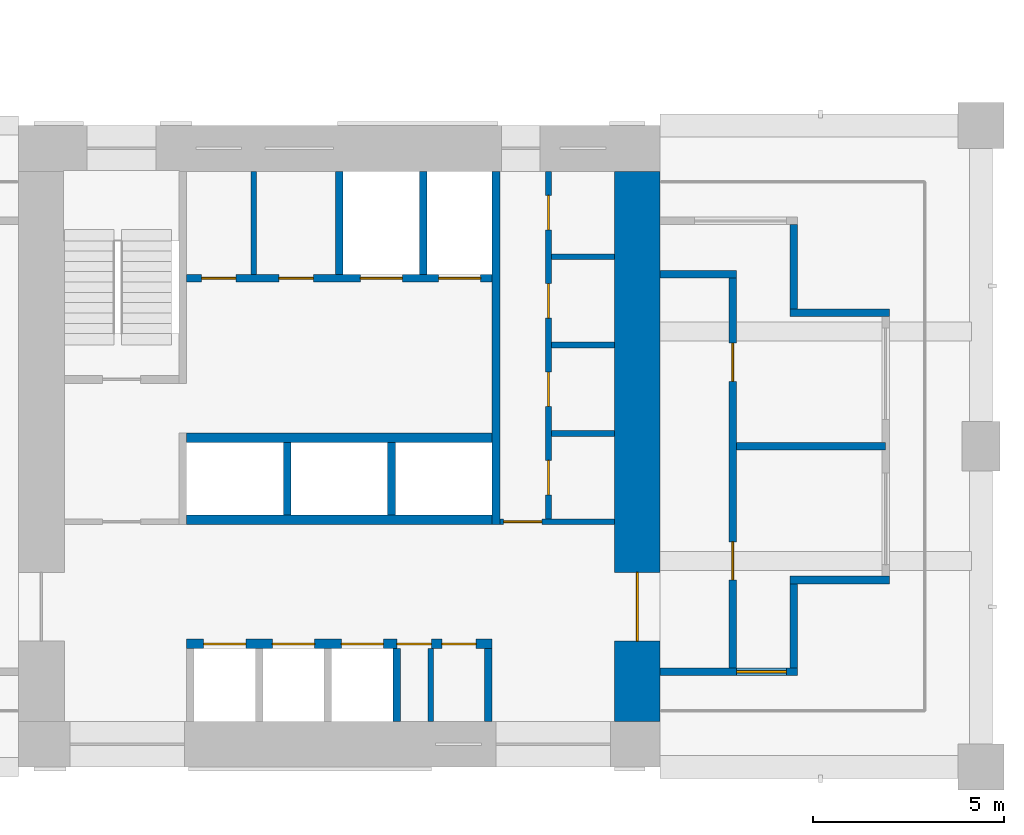
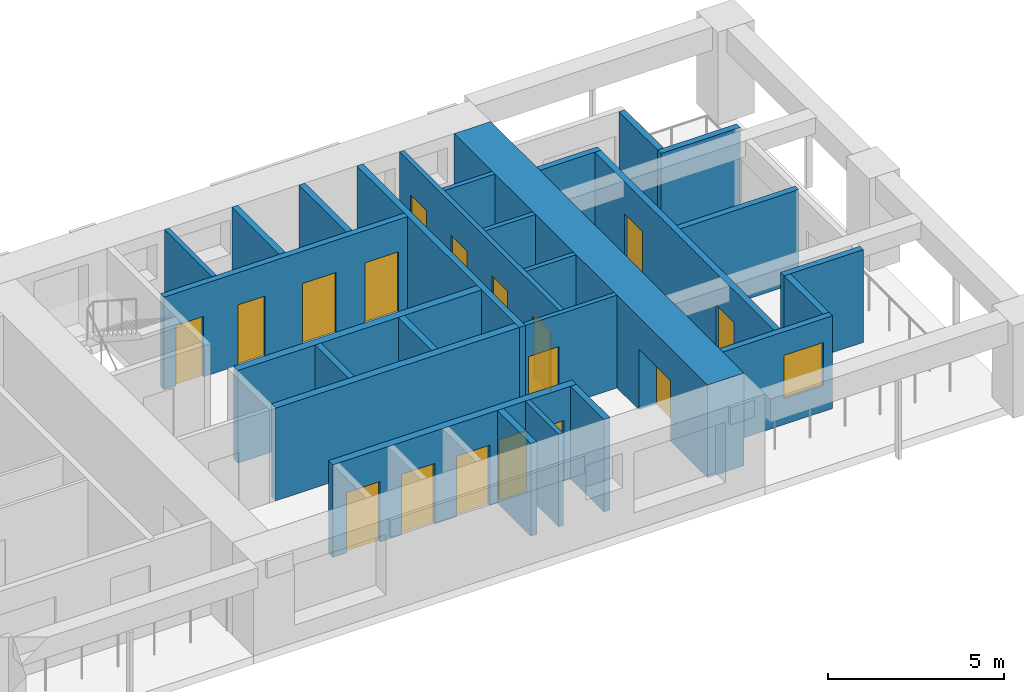
# One storey, part 6 of 17: 27 walls, 17 doors, 1 window, 18 openings.
"""IFC4 building model written with IfcOpenShell, lengths in metres."""

from ifc_helpers import new_model, si_unit, direction, frame, frame_2d, origin, place, context, subcontext, project, spatial, rectangle, extrude, material, layer, layer_set, type_object, element, fill, save


model = new_model("IFC4")

# Units and contexts
model_context = context("Model", 3, precision=1e-05, world=origin(), true_north=direction((0.0, 1.0)))
body_context = subcontext(model_context, "Body", "Model", "MODEL_VIEW")
ifc_project = project(units=[si_unit("LENGTHUNIT", "METRE"), si_unit("AREAUNIT", "SQUARE_METRE"), si_unit("VOLUMEUNIT", "CUBIC_METRE"), si_unit("PLANEANGLEUNIT", "RADIAN"), si_unit("MASSUNIT", "GRAM", prefix="KILO")], contexts=[model_context])

# Site, building, storey
site_placement = place(None, origin())
site = spatial("IfcSite", under=ifc_project, at=site_placement, CompositionType="ELEMENT")
building_placement = place(site_placement, origin())
building = spatial("IfcBuilding", under=site, at=building_placement, Name="Vermilion Gate Residences", CompositionType="ELEMENT")
storey_placement = place(building_placement, frame((0.0, 0.0, 95.199951171875)))
storey = spatial("IfcBuildingStorey", under=building, at=storey_placement, Name="L23", CompositionType="ELEMENT", Elevation=95.199951171875)

# Walls
ifc_material_1 = material(Name="Masonry blockwork", Category="masonry")
ifc_layer_1 = layer(ifc_material_1, 0.14990234375)
ifc_layer_set_1 = layer_set([ifc_layer_1], Name="BLOCKWORK PARTITION 150 EI 120")
wall_type_1 = type_object("IfcWallType", Name="BLOCKWORK PARTITION 150 EI 120", PredefinedType="PARTITIONING", material=ifc_layer_set_1)
wall_1_placement = place(storey_placement, frame((52.79248046875, 9.60009765625, 0.0), z_axis=(0.0, 0.0, 1.0), x_axis=(0.0, 1.0, 0.0)))
element("IfcWall", 1, at=wall_1_placement, inside=storey, type_object=wall_type_1, Name="Core room partition A23-SR-P0", PredefinedType="PARTITIONING", context=body_context, shape_type="SweptSolid", body=[
    extrude(rectangle(XDim=1.89990234375, YDim=0.14990234375, at=frame_2d((0.949951171875, 0.0))), origin(), (0.0, 0.0, 1.0), 3.219970703125),
])
wall_2_placement = place(storey_placement, frame((48.16259765625, 21.300048828125, 0.0), z_axis=(0.0, 0.0, 1.0), x_axis=(0.0, 1.0, 0.0)))
element("IfcWall", 2, at=wall_2_placement, inside=storey, type_object=wall_type_1, Name="Core room partition A23-NR-P0", PredefinedType="PARTITIONING", context=body_context, shape_type="SweptSolid", body=[
    extrude(rectangle(XDim=2.699951171875, YDim=0.14990234375, at=frame_2d((1.35009765625, 0.0))), origin(), (0.0, 0.0, 1.0), 3.219970703125),
])

# Wall, opening, door
wall_3_placement = place(storey_placement, frame((54.60009765625, 14.824951171875, 0.0), z_axis=(0.0, 0.0, 1.0), x_axis=(1.0, 0.0, 0.0)))
wall_3 = element("IfcWall", 3, at=wall_3_placement, inside=storey, type_object=wall_type_1, Name="Core room partition A23-ES-S", PredefinedType="PARTITIONING", context=body_context, shape_type="SweptSolid", body=[
    extrude(rectangle(XDim=3.0, YDim=0.14990234375, at=frame_2d((1.5, 0.0))), origin(), (0.0, 0.0, 1.0), 3.219970703125),
])
opening_1_placement = place(wall_3_placement, frame((0.10009765625, 0.0, 0.0)))
opening_1 = element("IfcOpeningElement", 4, at=opening_1_placement, cuts=wall_3, Name="Opening DK23014", PredefinedType="OPENING", context=body_context, shape_type="SweptSolid", body=[
    extrude(rectangle(XDim=1.0, YDim=2.10009765625, at=frame_2d((0.5, 1.050048828125))), frame((0.0, 0.0849609375, 0.0), z_axis=(0.0, -1.0, 0.0), x_axis=(1.0, 0.0, 0.0)), (0.0, 0.0, 1.0), 0.169921875),
])
ifc_material_2 = material(Name="Steel", Category="steel")
door_type_1 = type_object("IfcDoorType", Name="FIRE DOOR FD60 1000 X 2100", OperationType="SINGLE_SWING_LEFT", PredefinedType="DOOR", material=ifc_material_2)
door_1_placement = place(opening_1_placement, frame((1.0, 0.0, 0.0), z_axis=(0.0, 0.0, 1.0), x_axis=(-1.0, 0.0, 0.0)))
door_1 = element("IfcDoor", 5, at=door_1_placement, inside=storey, type_object=door_type_1, Name="Service corridor door A23", OperationType="SINGLE_SWING_LEFT", OverallHeight=2.10009765625, OverallWidth=1.0, PredefinedType="DOOR", context=body_context, shape_type="SweptSolid", body=[
    extrude(rectangle(XDim=1.0, YDim=2.10009765625, at=frame_2d((0.5, 1.050048828125))), frame((0.0, 0.02490234375, 0.0), z_axis=(0.0, -1.0, 0.0), x_axis=(1.0, 0.0, 0.0)), (0.0, 0.0, 1.0), 0.050048828125),
])
fill(opening_1, door_1)

# Walls
for number, where, z_axis, x_axis, name in (
    (6, (55.949951171875, 17.137451171875, 0.0), (0.0, 0.0, 1.0), (1.0, 0.0, 0.0), "Core room partition A23-ES-P0"),
    (7, (55.949951171875, 19.449951171875, 0.0), (0.0, 0.0, 1.0), (1.0, 0.0, 0.0), "Core room partition A23-ES-P1"),
    (8, (55.949951171875, 21.762451171875, 0.0), (0.0, 0.0, 1.0), (1.0, 0.0, 0.0), "Core room partition A23-ES-P2"),
):
    element("IfcWall", number, at=place(storey_placement, frame(where, z_axis=z_axis, x_axis=x_axis)), inside=storey, type_object=wall_type_1, Name=name, PredefinedType="PARTITIONING", context=body_context, shape_type="SweptSolid", body=[
        extrude(rectangle(XDim=1.650146484375, YDim=0.14990234375, at=frame_2d((0.8251953125, 0.0))), origin(), (0.0, 0.0, 1.0), 3.219970703125),
    ])

# Wall, openings, doors
wall_4_placement = place(storey_placement, frame((55.875, 14.89990234375, 0.0), z_axis=(0.0, 0.0, 1.0), x_axis=(0.0, 1.0, 0.0)))
wall_4 = element("IfcWall", 9, at=wall_4_placement, inside=storey, type_object=wall_type_1, Name="Core room partition A23-ES-W", PredefinedType="PARTITIONING", context=body_context, shape_type="SweptSolid", body=[
    extrude(rectangle(XDim=9.10009765625, YDim=0.14990234375, at=frame_2d((4.550048828125, 0.0))), origin(), (0.0, 0.0, 1.0), 3.219970703125),
])
opening_2_placement = place(wall_4_placement, frame((0.63134765625, 0.0, 0.0)))
opening_2 = element("IfcOpeningElement", 10, at=opening_2_placement, cuts=wall_4, Name="Opening DK23015", PredefinedType="OPENING", context=body_context, shape_type="SweptSolid", body=[
    extrude(rectangle(XDim=0.89990234375, YDim=2.10009765625, at=frame_2d((0.449951171875, 1.050048828125))), frame((0.0, 0.0849609375, 0.0), z_axis=(0.0, -1.0, 0.0), x_axis=(1.0, 0.0, 0.0)), (0.0, 0.0, 1.0), 0.169921875),
])
opening_3_placement = place(wall_4_placement, frame((2.94384765625, 0.0, 0.0)))
opening_3 = element("IfcOpeningElement", 11, at=opening_3_placement, cuts=wall_4, Name="Opening DK23016", PredefinedType="OPENING", context=body_context, shape_type="SweptSolid", body=[
    extrude(rectangle(XDim=0.89990234375, YDim=2.10009765625, at=frame_2d((0.449951171875, 1.050048828125))), frame((0.0, 0.0849609375, 0.0), z_axis=(0.0, -1.0, 0.0), x_axis=(1.0, 0.0, 0.0)), (0.0, 0.0, 1.0), 0.169921875),
])
opening_4_placement = place(wall_4_placement, frame((5.25634765625, 0.0, 0.0)))
opening_4 = element("IfcOpeningElement", 12, at=opening_4_placement, cuts=wall_4, Name="Opening DK23017", PredefinedType="OPENING", context=body_context, shape_type="SweptSolid", body=[
    extrude(rectangle(XDim=0.89990234375, YDim=2.10009765625, at=frame_2d((0.449951171875, 1.050048828125))), frame((0.0, 0.0849609375, 0.0), z_axis=(0.0, -1.0, 0.0), x_axis=(1.0, 0.0, 0.0)), (0.0, 0.0, 1.0), 0.169921875),
])
opening_5_placement = place(wall_4_placement, frame((7.56884765625, 0.0, 0.0)))
opening_5 = element("IfcOpeningElement", 13, at=opening_5_placement, cuts=wall_4, Name="Opening DK23018", PredefinedType="OPENING", context=body_context, shape_type="SweptSolid", body=[
    extrude(rectangle(XDim=0.89990234375, YDim=2.10009765625, at=frame_2d((0.449951171875, 1.050048828125))), frame((0.0, 0.0849609375, 0.0), z_axis=(0.0, -1.0, 0.0), x_axis=(1.0, 0.0, 0.0)), (0.0, 0.0, 1.0), 0.169921875),
])
ifc_material_3 = material(Name="Steel", Category="steel")
door_type_2 = type_object("IfcDoorType", Name="SERVICE ROOM DOOR FD60 900 X 2100", OperationType="SINGLE_SWING_LEFT", PredefinedType="DOOR", material=ifc_material_3)
door_2_placement = place(opening_2_placement, frame((0.89990234375, 0.0, 0.0), z_axis=(0.0, 0.0, 1.0), x_axis=(-1.0, 0.0, 0.0)))
door_2 = element("IfcDoor", 14, at=door_2_placement, inside=storey, type_object=door_type_2, Name="Electrical room A23", OperationType="SINGLE_SWING_RIGHT", OverallHeight=2.10009765625, OverallWidth=0.89990234375, PredefinedType="DOOR", context=body_context, shape_type="SweptSolid", body=[
    extrude(rectangle(XDim=0.89990234375, YDim=2.10009765625, at=frame_2d((0.449951171875, 1.050048828125))), frame((0.0, 0.02490234375, 0.0), z_axis=(0.0, -1.0, 0.0), x_axis=(1.0, 0.0, 0.0)), (0.0, 0.0, 1.0), 0.050048828125),
])
fill(opening_2, door_2)
door_3_placement = place(opening_3_placement, frame((0.89990234375, 0.0, 0.0), z_axis=(0.0, 0.0, 1.0), x_axis=(-1.0, 0.0, 0.0)))
door_3 = element("IfcDoor", 15, at=door_3_placement, inside=storey, type_object=door_type_2, Name="Storage room A23", OperationType="SINGLE_SWING_RIGHT", OverallHeight=2.10009765625, OverallWidth=0.89990234375, PredefinedType="DOOR", context=body_context, shape_type="SweptSolid", body=[
    extrude(rectangle(XDim=0.89990234375, YDim=2.10009765625, at=frame_2d((0.449951171875, 1.050048828125))), frame((0.0, 0.02490234375, 0.0), z_axis=(0.0, -1.0, 0.0), x_axis=(1.0, 0.0, 0.0)), (0.0, 0.0, 1.0), 0.050048828125),
])
fill(opening_3, door_3)
door_4_placement = place(opening_4_placement, frame((0.89990234375, 0.0, 0.0), z_axis=(0.0, 0.0, 1.0), x_axis=(-1.0, 0.0, 0.0)))
door_4 = element("IfcDoor", 16, at=door_4_placement, inside=storey, type_object=door_type_2, Name="Storage room A23", OperationType="SINGLE_SWING_RIGHT", OverallHeight=2.10009765625, OverallWidth=0.89990234375, PredefinedType="DOOR", context=body_context, shape_type="SweptSolid", body=[
    extrude(rectangle(XDim=0.89990234375, YDim=2.10009765625, at=frame_2d((0.449951171875, 1.050048828125))), frame((0.0, 0.02490234375, 0.0), z_axis=(0.0, -1.0, 0.0), x_axis=(1.0, 0.0, 0.0)), (0.0, 0.0, 1.0), 0.050048828125),
])
fill(opening_4, door_4)
door_5_placement = place(opening_5_placement, frame((0.89990234375, 0.0, 0.0), z_axis=(0.0, 0.0, 1.0), x_axis=(-1.0, 0.0, 0.0)))
door_5 = element("IfcDoor", 17, at=door_5_placement, inside=storey, type_object=door_type_2, Name="Communications room A23", OperationType="SINGLE_SWING_RIGHT", OverallHeight=2.10009765625, OverallWidth=0.89990234375, PredefinedType="DOOR", context=body_context, shape_type="SweptSolid", body=[
    extrude(rectangle(XDim=0.89990234375, YDim=2.10009765625, at=frame_2d((0.449951171875, 1.050048828125))), frame((0.0, 0.02490234375, 0.0), z_axis=(0.0, -1.0, 0.0), x_axis=(1.0, 0.0, 0.0)), (0.0, 0.0, 1.0), 0.050048828125),
])
fill(opening_5, door_5)

# Wall, opening, window
ifc_material_4 = material(Name="Insulated steel stud wall with terracotta rainscreen", Category="masonry")
ifc_layer_2 = layer(ifc_material_4, 0.199951171875)
ifc_layer_set_2 = layer_set([ifc_layer_2], Name="EXTERNAL WALL 200 TERRACOTTA RAINSCREEN")
wall_type_2 = type_object("IfcWallType", Name="EXTERNAL WALL 200 TERRACOTTA RAINSCREEN", PredefinedType="SOLIDWALL", material=ifc_layer_set_2)
wall_5_placement = place(storey_placement, frame((58.800048828125, 10.89990234375, 0.0), z_axis=(0.0, 0.0, 1.0), x_axis=(1.0, 0.0, 0.0)))
wall_5 = element("IfcWall", 18, at=wall_5_placement, inside=storey, type_object=wall_type_2, Name="External wall", PredefinedType="SOLIDWALL", context=body_context, shape_type="SweptSolid", body=[
    extrude(rectangle(XDim=3.599853515625, YDim=0.199951171875, at=frame_2d((1.7998046875, 0.0))), origin(), (0.0, 0.0, 1.0), 3.219970703125),
])
opening_6_placement = place(wall_5_placement, frame((2.0, 0.0, 0.89990234375)))
opening_6 = element("IfcOpeningElement", 19, at=opening_6_placement, cuts=wall_5, Name="Opening WE23020", PredefinedType="OPENING", context=body_context, shape_type="SweptSolid", body=[
    extrude(rectangle(XDim=1.300048828125, YDim=1.5, at=frame_2d((0.64990234375, 0.75))), frame((0.0, 0.10986328125, 0.0), z_axis=(0.0, -1.0, 0.0), x_axis=(1.0, 0.0, 0.0)), (0.0, 0.0, 1.0), 0.219970703125),
])
ifc_material_5 = material(Name="Aluminium and clear glass", Category="aluminium")
window_type = type_object("IfcWindowType", Name="WINDOW 1300 X 1500", PartitioningType="SINGLE_PANEL", PredefinedType="WINDOW", material=ifc_material_5)
window_placement = place(opening_6_placement, origin())
window = element("IfcWindow", 20, at=window_placement, inside=storey, type_object=window_type, Name="Window", OverallHeight=1.5, OverallWidth=1.300048828125, PartitioningType="SINGLE_PANEL", PredefinedType="WINDOW", context=body_context, shape_type="SweptSolid", body=[
    extrude(rectangle(XDim=1.300048828125, YDim=1.5, at=frame_2d((0.64990234375, 0.75))), frame((0.0, 0.030029296875, 0.0), z_axis=(0.0, -1.0, 0.0), x_axis=(1.0, 0.0, 0.0)), (0.0, 0.0, 1.0), 0.06005859375),
])
fill(opening_6, window)

# Walls
wall_6_placement = place(storey_placement, frame((62.300048828125, 11.0, 0.0), z_axis=(0.0, 0.0, 1.0), x_axis=(0.0, 1.0, 0.0)))
element("IfcWall", 21, at=wall_6_placement, inside=storey, type_object=wall_type_2, Name="External wall", PredefinedType="SOLIDWALL", context=body_context, shape_type="SweptSolid", body=[
    extrude(rectangle(XDim=2.199951171875, YDim=0.199951171875, at=frame_2d((1.10009765625, 0.0))), origin(), (0.0, 0.0, 1.0), 3.219970703125),
])
for number, where, z_axis, x_axis, name in (
    (22, (62.199951171875, 13.300048828125, 0.0), (0.0, 0.0, 1.0), (1.0, 0.0, 0.0), "External wall"),
    (23, (64.800048828125, 20.300048828125, 0.0), (0.0, 0.0, 1.0), (-1.0, 0.0, 0.0), "External wall"),
):
    element("IfcWall", number, at=place(storey_placement, frame(where, z_axis=z_axis, x_axis=x_axis)), inside=storey, type_object=wall_type_2, Name=name, PredefinedType="SOLIDWALL", context=body_context, shape_type="SweptSolid", body=[
        extrude(rectangle(XDim=2.60009765625, YDim=0.199951171875, at=frame_2d((1.300048828125, 0.0))), origin(), (0.0, 0.0, 1.0), 3.219970703125),
    ])
wall_7_placement = place(storey_placement, frame((62.300048828125, 20.39990234375, 0.0), z_axis=(0.0, 0.0, 1.0), x_axis=(0.0, 1.0, 0.0)))
element("IfcWall", 24, at=wall_7_placement, inside=storey, type_object=wall_type_2, Name="External wall", PredefinedType="SOLIDWALL", context=body_context, shape_type="SweptSolid", body=[
    extrude(rectangle(XDim=2.2001953125, YDim=0.199951171875, at=frame_2d((1.10009765625, 0.0))), origin(), (0.0, 0.0, 1.0), 3.219970703125),
])
ifc_material_6 = material(Name="Fire-rated plasterboard on steel studs", Category="steel")
ifc_layer_3 = layer(ifc_material_6, 0.199951171875)
ifc_layer_set_3 = layer_set([ifc_layer_3], Name="PARTY WALL 200 EI 120")
wall_type_3 = type_object("IfcWallType", Name="PARTY WALL 200 EI 120", PredefinedType="PARTITIONING", material=ifc_layer_set_3)
wall_8_placement = place(storey_placement, frame((60.800048828125, 16.800048828125, 0.0), z_axis=(0.0, 0.0, 1.0), x_axis=(1.0, 0.0, 0.0)))
element("IfcWall", 25, at=wall_8_placement, inside=storey, type_object=wall_type_3, Name="Party and corridor wall", PredefinedType="PARTITIONING", context=body_context, shape_type="SweptSolid", body=[
    extrude(rectangle(XDim=3.89990234375, YDim=0.199951171875, at=frame_2d((1.949951171875, 0.0))), origin(), (0.0, 0.0, 1.0), 3.219970703125),
])
wall_9_placement = place(storey_placement, frame((58.800048828125, 21.300048828125, 0.0), z_axis=(0.0, 0.0, 1.0), x_axis=(1.0, 0.0, 0.0)))
element("IfcWall", 26, at=wall_9_placement, inside=storey, type_object=wall_type_3, Name="Party and corridor wall", PredefinedType="PARTITIONING", context=body_context, shape_type="SweptSolid", body=[
    extrude(rectangle(XDim=2.0, YDim=0.199951171875, at=frame_2d((1.0, 0.0))), origin(), (0.0, 0.0, 1.0), 3.219970703125),
])

# Wall, openings, doors
wall_10_placement = place(storey_placement, frame((60.699951171875, 10.89990234375, 0.0), z_axis=(0.0, 0.0, 1.0), x_axis=(0.0, 1.0, 0.0)))
wall_10 = element("IfcWall", 27, at=wall_10_placement, inside=storey, type_object=wall_type_3, Name="Party and corridor wall", PredefinedType="PARTITIONING", context=body_context, shape_type="SweptSolid", body=[
    extrude(rectangle(XDim=10.300048828125, YDim=0.199951171875, at=frame_2d((5.14990234375, 0.0))), origin(), (0.0, 0.0, 1.0), 3.219970703125),
])
opening_7_placement = place(wall_10_placement, frame((2.39990234375, 0.0, 0.0)))
opening_7 = element("IfcOpeningElement", 28, at=opening_7_placement, cuts=wall_10, Name="Opening DA22051", PredefinedType="OPENING", context=body_context, shape_type="SweptSolid", body=[
    extrude(rectangle(XDim=1.0, YDim=2.10009765625, at=frame_2d((0.5, 1.050048828125))), frame((0.0, 0.10986328125, 0.0), z_axis=(0.0, -1.0, 0.0), x_axis=(1.0, 0.0, 0.0)), (0.0, 0.0, 1.0), 0.219970703125),
])
opening_8_placement = place(wall_10_placement, frame((7.60009765625, 0.0, 0.0)))
opening_8 = element("IfcOpeningElement", 29, at=opening_8_placement, cuts=wall_10, Name="Opening DA22052", PredefinedType="OPENING", context=body_context, shape_type="SweptSolid", body=[
    extrude(rectangle(XDim=1.0, YDim=2.10009765625, at=frame_2d((0.5, 1.050048828125))), frame((0.0, 0.10986328125, 0.0), z_axis=(0.0, -1.0, 0.0), x_axis=(1.0, 0.0, 0.0)), (0.0, 0.0, 1.0), 0.219970703125),
])
ifc_material_7 = material(Name="Steel", Category="steel")
door_type_3 = type_object("IfcDoorType", Name="ENTRANCE DOOR 1000 X 2100 FD30", OperationType="SINGLE_SWING_LEFT", PredefinedType="DOOR", material=ifc_material_7)
door_6_placement = place(opening_7_placement, frame((1.0, 0.0, 0.0), z_axis=(0.0, 0.0, 1.0), x_axis=(-1.0, 0.0, 0.0)))
door_6 = element("IfcDoor", 30, at=door_6_placement, inside=storey, type_object=door_type_3, Name="Entrance door", OperationType="SINGLE_SWING_RIGHT", OverallHeight=2.10009765625, OverallWidth=1.0, PredefinedType="DOOR", context=body_context, shape_type="SweptSolid", body=[
    extrude(rectangle(XDim=1.0, YDim=2.10009765625, at=frame_2d((0.5, 1.050048828125))), frame((0.0, 0.02490234375, 0.0), z_axis=(0.0, -1.0, 0.0), x_axis=(1.0, 0.0, 0.0)), (0.0, 0.0, 1.0), 0.050048828125),
])
fill(opening_7, door_6)
door_7_placement = place(opening_8_placement, frame((1.0, 0.0, 0.0), z_axis=(0.0, 0.0, 1.0), x_axis=(-1.0, 0.0, 0.0)))
door_7 = element("IfcDoor", 31, at=door_7_placement, inside=storey, type_object=door_type_3, Name="Entrance door", OperationType="SINGLE_SWING_RIGHT", OverallHeight=2.10009765625, OverallWidth=1.0, PredefinedType="DOOR", context=body_context, shape_type="SweptSolid", body=[
    extrude(rectangle(XDim=1.0, YDim=2.10009765625, at=frame_2d((0.5, 1.050048828125))), frame((0.0, 0.02490234375, 0.0), z_axis=(0.0, -1.0, 0.0), x_axis=(1.0, 0.0, 0.0)), (0.0, 0.0, 1.0), 0.050048828125),
])
fill(opening_8, door_7)

# Walls
ifc_material_8 = material(Name="Concrete C60", Category="concrete")
ifc_layer_4 = layer(ifc_material_8, 0.199951171875)
ifc_layer_set_4 = layer_set([ifc_layer_4], Name="RC CORE INTERNAL WALL 200 C60")
wall_type_4 = type_object("IfcWallType", Name="RC CORE INTERNAL WALL 200 C60", PredefinedType="SHEAR", material=ifc_layer_set_4)
for number, where, z_axis, x_axis, name in (
    (32, (51.89990234375, 9.60009765625, 0.0), (0.0, 0.0, 1.0), (0.0, 1.0, 0.0), "Core internal wall A23-LR-D3"),
    (33, (54.300048828125, 9.60009765625, 0.0), (0.0, 0.0, 1.0), (0.0, 1.0, 0.0), "Core internal wall A23-LR-DE"),
    (34, (49.033447265625, 15.0, 0.0), (0.0, 0.0, 1.0), (0.0, 1.0, 0.0), "Core internal wall A23-HR-D1"),
    (35, (51.7666015625, 15.0, 0.0), (0.0, 0.0, 1.0), (0.0, 1.0, 0.0), "Core internal wall A23-HR-D2"),
):
    element("IfcWall", number, at=place(storey_placement, frame(where, z_axis=z_axis, x_axis=x_axis)), inside=storey, type_object=wall_type_4, Name=name, PredefinedType="SHEAR", context=body_context, shape_type="SweptSolid", body=[
        extrude(rectangle(XDim=1.89990234375, YDim=0.199951171875, at=frame_2d((0.949951171875, 0.0))), origin(), (0.0, 0.0, 1.0), 3.219970703125),
    ])
for number, where, z_axis, x_axis, name in (
    (36, (50.39990234375, 21.300048828125, 0.0), (0.0, 0.0, 1.0), (0.0, 1.0, 0.0), "Core internal wall A23-FF-D0"),
    (37, (52.60009765625, 21.300048828125, 0.0), (0.0, 0.0, 1.0), (0.0, 1.0, 0.0), "Core internal wall A23-FF-D1"),
):
    element("IfcWall", number, at=place(storey_placement, frame(where, z_axis=z_axis, x_axis=x_axis)), inside=storey, type_object=wall_type_4, Name=name, PredefinedType="SHEAR", context=body_context, shape_type="SweptSolid", body=[
        extrude(rectangle(XDim=2.699951171875, YDim=0.199951171875, at=frame_2d((1.35009765625, 0.0))), origin(), (0.0, 0.0, 1.0), 3.219970703125),
    ])

# Wall, openings, doors
wall_11_placement = place(storey_placement, frame((46.39990234375, 21.199951171875, 0.0), z_axis=(0.0, 0.0, 1.0), x_axis=(1.0, 0.0, 0.0)))
wall_11 = element("IfcWall", 38, at=wall_11_placement, inside=storey, type_object=wall_type_4, Name="Core internal wall A23-FF-F", PredefinedType="SHEAR", context=body_context, shape_type="SweptSolid", body=[
    extrude(rectangle(XDim=8.0, YDim=0.199951171875, at=frame_2d((4.0, 0.0))), origin(), (0.0, 0.0, 1.0), 3.219970703125),
])
opening_9_placement = place(wall_11_placement, frame((0.393798828125, 0.0, 0.0)))
opening_9 = element("IfcOpeningElement", 39, at=opening_9_placement, cuts=wall_11, Name="Opening DK23008", PredefinedType="OPENING", context=body_context, shape_type="SweptSolid", body=[
    extrude(rectangle(XDim=0.89990234375, YDim=2.10009765625, at=frame_2d((0.449951171875, 1.050048828125))), frame((0.0, 0.10986328125, 0.0), z_axis=(0.0, -1.0, 0.0), x_axis=(1.0, 0.0, 0.0)), (0.0, 0.0, 1.0), 0.219970703125),
])
opening_10_placement = place(wall_11_placement, frame((2.418701171875, 0.0, 0.0)))
opening_10 = element("IfcOpeningElement", 40, at=opening_10_placement, cuts=wall_11, Name="Opening DK23009", PredefinedType="OPENING", context=body_context, shape_type="SweptSolid", body=[
    extrude(rectangle(XDim=0.89990234375, YDim=2.10009765625, at=frame_2d((0.449951171875, 1.050048828125))), frame((0.0, 0.10986328125, 0.0), z_axis=(0.0, -1.0, 0.0), x_axis=(1.0, 0.0, 0.0)), (0.0, 0.0, 1.0), 0.219970703125),
])
opening_11_placement = place(wall_11_placement, frame((4.550048828125, 0.0, 0.0)))
opening_11 = element("IfcOpeningElement", 41, at=opening_11_placement, cuts=wall_11, Name="Opening LD", PredefinedType="OPENING", context=body_context, shape_type="SweptSolid", body=[
    extrude(rectangle(XDim=1.10009765625, YDim=2.10009765625, at=frame_2d((0.550048828125, 1.050048828125))), frame((0.0, 0.10986328125, 0.0), z_axis=(0.0, -1.0, 0.0), x_axis=(1.0, 0.0, 0.0)), (0.0, 0.0, 1.0), 0.219970703125),
])
opening_12_placement = place(wall_11_placement, frame((6.60009765625, 0.0, 0.0)))
opening_12 = element("IfcOpeningElement", 42, at=opening_12_placement, cuts=wall_11, Name="Opening LD", PredefinedType="OPENING", context=body_context, shape_type="SweptSolid", body=[
    extrude(rectangle(XDim=1.10009765625, YDim=2.10009765625, at=frame_2d((0.550048828125, 1.050048828125))), frame((0.0, 0.10986328125, 0.0), z_axis=(0.0, -1.0, 0.0), x_axis=(1.0, 0.0, 0.0)), (0.0, 0.0, 1.0), 0.219970703125),
])
ifc_material_9 = material(Name="Stainless steel", Category="steel")
door_type_4 = type_object("IfcDoorType", Name="LIFT LANDING DOOR E60 1100 X 2100", OperationType="DOUBLE_DOOR_SLIDING", PredefinedType="DOOR", material=ifc_material_9)
door_8_placement = place(opening_11_placement, origin())
door_8 = element("IfcDoor", 43, at=door_8_placement, inside=storey, type_object=door_type_4, Name="Lift landing door LFA1", OperationType="DOUBLE_DOOR_SLIDING", OverallHeight=2.10009765625, OverallWidth=1.10009765625, PredefinedType="DOOR", context=body_context, shape_type="SweptSolid", body=[
    extrude(rectangle(XDim=1.10009765625, YDim=2.10009765625, at=frame_2d((0.550048828125, 1.050048828125))), frame((0.0, 0.02490234375, 0.0), z_axis=(0.0, -1.0, 0.0), x_axis=(1.0, 0.0, 0.0)), (0.0, 0.0, 1.0), 0.050048828125),
])
fill(opening_11, door_8)
door_9_placement = place(opening_12_placement, origin())
door_9 = element("IfcDoor", 44, at=door_9_placement, inside=storey, type_object=door_type_4, Name="Lift landing door LCA1", OperationType="DOUBLE_DOOR_SLIDING", OverallHeight=2.10009765625, OverallWidth=1.10009765625, PredefinedType="DOOR", context=body_context, shape_type="SweptSolid", body=[
    extrude(rectangle(XDim=1.10009765625, YDim=2.10009765625, at=frame_2d((0.550048828125, 1.050048828125))), frame((0.0, 0.02490234375, 0.0), z_axis=(0.0, -1.0, 0.0), x_axis=(1.0, 0.0, 0.0)), (0.0, 0.0, 1.0), 0.050048828125),
])
fill(opening_12, door_9)
door_10_placement = place(opening_9_placement, origin())
door_10 = element("IfcDoor", 45, at=door_10_placement, inside=storey, type_object=door_type_2, Name="Parcel room A23", OperationType="SINGLE_SWING_LEFT", OverallHeight=2.10009765625, OverallWidth=0.89990234375, PredefinedType="DOOR", context=body_context, shape_type="SweptSolid", body=[
    extrude(rectangle(XDim=0.89990234375, YDim=2.10009765625, at=frame_2d((0.449951171875, 1.050048828125))), frame((0.0, 0.02490234375, 0.0), z_axis=(0.0, -1.0, 0.0), x_axis=(1.0, 0.0, 0.0)), (0.0, 0.0, 1.0), 0.050048828125),
])
fill(opening_9, door_10)
door_11_placement = place(opening_10_placement, frame((0.89990234375, 0.0, 0.0), z_axis=(0.0, 0.0, 1.0), x_axis=(-1.0, 0.0, 0.0)))
door_11 = element("IfcDoor", 46, at=door_11_placement, inside=storey, type_object=door_type_2, Name="Electrical room A23", OperationType="SINGLE_SWING_RIGHT", OverallHeight=2.10009765625, OverallWidth=0.89990234375, PredefinedType="DOOR", context=body_context, shape_type="SweptSolid", body=[
    extrude(rectangle(XDim=0.89990234375, YDim=2.10009765625, at=frame_2d((0.449951171875, 1.050048828125))), frame((0.0, 0.02490234375, 0.0), z_axis=(0.0, -1.0, 0.0), x_axis=(1.0, 0.0, 0.0)), (0.0, 0.0, 1.0), 0.050048828125),
])
fill(opening_10, door_11)

# Wall
wall_12_placement = place(storey_placement, frame((54.5, 14.75, 0.0), z_axis=(0.0, 0.0, 1.0), x_axis=(0.0, 1.0, 0.0)))
element("IfcWall", 47, at=wall_12_placement, inside=storey, type_object=wall_type_4, Name="Core internal wall A23-EDIV", PredefinedType="SHEAR", context=body_context, shape_type="SweptSolid", body=[
    extrude(rectangle(XDim=9.25, YDim=0.199951171875, at=frame_2d((4.625, 0.0))), origin(), (0.0, 0.0, 1.0), 3.219970703125),
])

# Wall, opening, door
ifc_material_10 = material(Name="Concrete C70", Category="concrete")
ifc_layer_5 = layer(ifc_material_10, 1.199951171875)
ifc_layer_set_5 = layer_set([ifc_layer_5], Name="RC CORE WALL 1200 C70")
wall_type_5 = type_object("IfcWallType", Name="RC CORE WALL 1200 C70", PredefinedType="SHEAR", material=ifc_layer_set_5)
wall_13_placement = place(storey_placement, frame((58.199951171875, 9.60009765625, 0.0), z_axis=(0.0, 0.0, 1.0), x_axis=(0.0, 1.0, 0.0)))
wall_13 = element("IfcWall", 48, at=wall_13_placement, inside=storey, type_object=wall_type_5, Name="Core wall A23-OUT-BK", PredefinedType="SHEAR", context=body_context, shape_type="SweptSolid", body=[
    extrude(rectangle(XDim=14.39990234375, YDim=1.199951171875, at=frame_2d((7.199951171875, 0.0))), origin(), (0.0, 0.0, 1.0), 3.219970703125),
])
opening_13_placement = place(wall_13_placement, frame((2.10009765625, 0.0, 0.0)))
opening_13 = element("IfcOpeningElement", 49, at=opening_13_placement, cuts=wall_13, Name="Opening DK23002", PredefinedType="OPENING", context=body_context, shape_type="SweptSolid", body=[
    extrude(rectangle(XDim=1.800048828125, YDim=2.10009765625, at=frame_2d((0.89990234375, 1.050048828125))), frame((0.0, 0.60986328125, 0.0), z_axis=(0.0, -1.0, 0.0), x_axis=(1.0, 0.0, 0.0)), (0.0, 0.0, 1.0), 1.219970703125),
])
ifc_material_11 = material(Name="Steel", Category="steel")
door_type_5 = type_object("IfcDoorType", Name="CORE LOBBY DOOR FD60 1800 X 2100", OperationType="DOUBLE_DOOR_SINGLE_SWING", PredefinedType="DOOR", material=ifc_material_11)
door_12_placement = place(opening_13_placement, origin())
door_12 = element("IfcDoor", 50, at=door_12_placement, inside=storey, type_object=door_type_5, Name="Core lobby door A23", OperationType="DOUBLE_DOOR_SINGLE_SWING", OverallHeight=2.10009765625, OverallWidth=1.800048828125, PredefinedType="DOOR", context=body_context, shape_type="SweptSolid", body=[
    extrude(rectangle(XDim=1.800048828125, YDim=2.10009765625, at=frame_2d((0.89990234375, 1.050048828125))), frame((0.0, 0.02490234375, 0.0), z_axis=(0.0, -1.0, 0.0), x_axis=(1.0, 0.0, 0.0)), (0.0, 0.0, 1.0), 0.050048828125),
])
fill(opening_13, door_12)

# Wall, openings, doors
ifc_material_12 = material(Name="Concrete C60", Category="concrete")
ifc_layer_6 = layer(ifc_material_12, 0.25)
ifc_layer_set_6 = layer_set([ifc_layer_6], Name="RC LIFT SHAFT WALL 250 C60")
wall_type_6 = type_object("IfcWallType", Name="RC LIFT SHAFT WALL 250 C60", PredefinedType="SHEAR", material=ifc_layer_set_6)
wall_14_placement = place(storey_placement, frame((46.39990234375, 11.625, 0.0), z_axis=(0.0, 0.0, 1.0), x_axis=(1.0, 0.0, 0.0)))
wall_14 = element("IfcWall", 51, at=wall_14_placement, inside=storey, type_object=wall_type_6, Name="Lift shaft wall A23-LR-F", PredefinedType="SHEAR", context=body_context, shape_type="SweptSolid", body=[
    extrude(rectangle(XDim=8.0, YDim=0.25, at=frame_2d((4.0, 0.0))), origin(), (0.0, 0.0, 1.0), 3.219970703125),
])
opening_14_placement = place(wall_14_placement, frame((0.449951171875, 0.0, 0.0)))
opening_14 = element("IfcOpeningElement", 52, at=opening_14_placement, cuts=wall_14, Name="Opening LD", PredefinedType="OPENING", context=body_context, shape_type="SweptSolid", body=[
    extrude(rectangle(XDim=1.10009765625, YDim=2.10009765625, at=frame_2d((0.550048828125, 1.050048828125))), frame((0.0, 0.135009765625, 0.0), z_axis=(0.0, -1.0, 0.0), x_axis=(1.0, 0.0, 0.0)), (0.0, 0.0, 1.0), 0.27001953125),
])
opening_15_placement = place(wall_14_placement, frame((2.25, 0.0, 0.0)))
opening_15 = element("IfcOpeningElement", 53, at=opening_15_placement, cuts=wall_14, Name="Opening LD", PredefinedType="OPENING", context=body_context, shape_type="SweptSolid", body=[
    extrude(rectangle(XDim=1.10009765625, YDim=2.10009765625, at=frame_2d((0.550048828125, 1.050048828125))), frame((0.0, 0.135009765625, 0.0), z_axis=(0.0, -1.0, 0.0), x_axis=(1.0, 0.0, 0.0)), (0.0, 0.0, 1.0), 0.27001953125),
])
opening_16_placement = place(wall_14_placement, frame((4.050048828125, 0.0, 0.0)))
opening_16 = element("IfcOpeningElement", 54, at=opening_16_placement, cuts=wall_14, Name="Opening LD", PredefinedType="OPENING", context=body_context, shape_type="SweptSolid", body=[
    extrude(rectangle(XDim=1.10009765625, YDim=2.10009765625, at=frame_2d((0.550048828125, 1.050048828125))), frame((0.0, 0.135009765625, 0.0), z_axis=(0.0, -1.0, 0.0), x_axis=(1.0, 0.0, 0.0)), (0.0, 0.0, 1.0), 0.27001953125),
])
opening_17_placement = place(wall_14_placement, frame((5.5087890625, 0.0, 0.0)))
opening_17 = element("IfcOpeningElement", 55, at=opening_17_placement, cuts=wall_14, Name="Opening DK23006", PredefinedType="OPENING", context=body_context, shape_type="SweptSolid", body=[
    extrude(rectangle(XDim=0.89990234375, YDim=2.10009765625, at=frame_2d((0.449951171875, 1.050048828125))), frame((0.0, 0.135009765625, 0.0), z_axis=(0.0, -1.0, 0.0), x_axis=(1.0, 0.0, 0.0)), (0.0, 0.0, 1.0), 0.27001953125),
])
opening_18_placement = place(wall_14_placement, frame((6.683837890625, 0.0, 0.0)))
opening_18 = element("IfcOpeningElement", 56, at=opening_18_placement, cuts=wall_14, Name="Opening DK23007", PredefinedType="OPENING", context=body_context, shape_type="SweptSolid", body=[
    extrude(rectangle(XDim=0.89990234375, YDim=2.10009765625, at=frame_2d((0.449951171875, 1.050048828125))), frame((0.0, 0.135009765625, 0.0), z_axis=(0.0, -1.0, 0.0), x_axis=(1.0, 0.0, 0.0)), (0.0, 0.0, 1.0), 0.27001953125),
])
door_13_placement = place(opening_14_placement, origin())
door_13 = element("IfcDoor", 57, at=door_13_placement, inside=storey, type_object=door_type_4, Name="Lift landing door LRA1", OperationType="DOUBLE_DOOR_SLIDING", OverallHeight=2.10009765625, OverallWidth=1.10009765625, PredefinedType="DOOR", context=body_context, shape_type="SweptSolid", body=[
    extrude(rectangle(XDim=1.10009765625, YDim=2.10009765625, at=frame_2d((0.550048828125, 1.050048828125))), frame((0.0, 0.02490234375, 0.0), z_axis=(0.0, -1.0, 0.0), x_axis=(1.0, 0.0, 0.0)), (0.0, 0.0, 1.0), 0.050048828125),
])
fill(opening_14, door_13)
door_14_placement = place(opening_15_placement, origin())
door_14 = element("IfcDoor", 58, at=door_14_placement, inside=storey, type_object=door_type_4, Name="Lift landing door LRA2", OperationType="DOUBLE_DOOR_SLIDING", OverallHeight=2.10009765625, OverallWidth=1.10009765625, PredefinedType="DOOR", context=body_context, shape_type="SweptSolid", body=[
    extrude(rectangle(XDim=1.10009765625, YDim=2.10009765625, at=frame_2d((0.550048828125, 1.050048828125))), frame((0.0, 0.02490234375, 0.0), z_axis=(0.0, -1.0, 0.0), x_axis=(1.0, 0.0, 0.0)), (0.0, 0.0, 1.0), 0.050048828125),
])
fill(opening_15, door_14)
door_15_placement = place(opening_16_placement, origin())
door_15 = element("IfcDoor", 59, at=door_15_placement, inside=storey, type_object=door_type_4, Name="Lift landing door LRA3", OperationType="DOUBLE_DOOR_SLIDING", OverallHeight=2.10009765625, OverallWidth=1.10009765625, PredefinedType="DOOR", context=body_context, shape_type="SweptSolid", body=[
    extrude(rectangle(XDim=1.10009765625, YDim=2.10009765625, at=frame_2d((0.550048828125, 1.050048828125))), frame((0.0, 0.02490234375, 0.0), z_axis=(0.0, -1.0, 0.0), x_axis=(1.0, 0.0, 0.0)), (0.0, 0.0, 1.0), 0.050048828125),
])
fill(opening_16, door_15)
door_16_placement = place(opening_17_placement, origin())
door_16 = element("IfcDoor", 60, at=door_16_placement, inside=storey, type_object=door_type_2, Name="Communications room A23", OperationType="SINGLE_SWING_LEFT", OverallHeight=2.10009765625, OverallWidth=0.89990234375, PredefinedType="DOOR", context=body_context, shape_type="SweptSolid", body=[
    extrude(rectangle(XDim=0.89990234375, YDim=2.10009765625, at=frame_2d((0.449951171875, 1.050048828125))), frame((0.0, 0.02490234375, 0.0), z_axis=(0.0, -1.0, 0.0), x_axis=(1.0, 0.0, 0.0)), (0.0, 0.0, 1.0), 0.050048828125),
])
fill(opening_17, door_16)
door_17_placement = place(opening_18_placement, frame((0.89990234375, 0.0, 0.0), z_axis=(0.0, 0.0, 1.0), x_axis=(-1.0, 0.0, 0.0)))
door_17 = element("IfcDoor", 61, at=door_17_placement, inside=storey, type_object=door_type_2, Name="Refuse room A23", OperationType="SINGLE_SWING_RIGHT", OverallHeight=2.10009765625, OverallWidth=0.89990234375, PredefinedType="DOOR", context=body_context, shape_type="SweptSolid", body=[
    extrude(rectangle(XDim=0.89990234375, YDim=2.10009765625, at=frame_2d((0.449951171875, 1.050048828125))), frame((0.0, 0.02490234375, 0.0), z_axis=(0.0, -1.0, 0.0), x_axis=(1.0, 0.0, 0.0)), (0.0, 0.0, 1.0), 0.050048828125),
])
fill(opening_18, door_17)

# Walls
for number, where, z_axis, x_axis, name in (
    (62, (46.39990234375, 14.875, 0.0), (0.0, 0.0, 1.0), (1.0, 0.0, 0.0), "Lift shaft wall A23-HR-F"),
    (63, (46.39990234375, 17.02490234375, 0.0), (0.0, 0.0, 1.0), (1.0, 0.0, 0.0), "Lift shaft wall A23-HR-B"),
):
    element("IfcWall", number, at=place(storey_placement, frame(where, z_axis=z_axis, x_axis=x_axis)), inside=storey, type_object=wall_type_6, Name=name, PredefinedType="SHEAR", context=body_context, shape_type="SweptSolid", body=[
        extrude(rectangle(XDim=8.0, YDim=0.25, at=frame_2d((4.0, 0.0))), origin(), (0.0, 0.0, 1.0), 3.219970703125),
    ])

save(model, "model.ifc")
